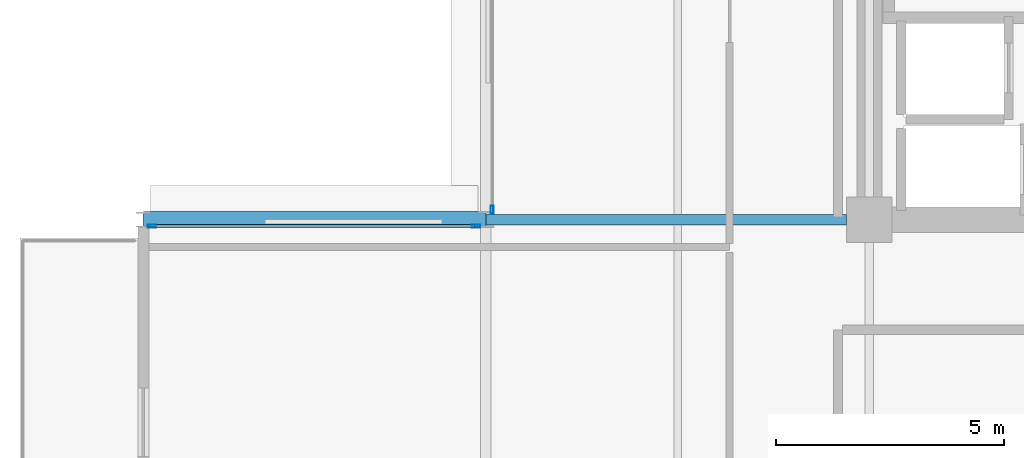
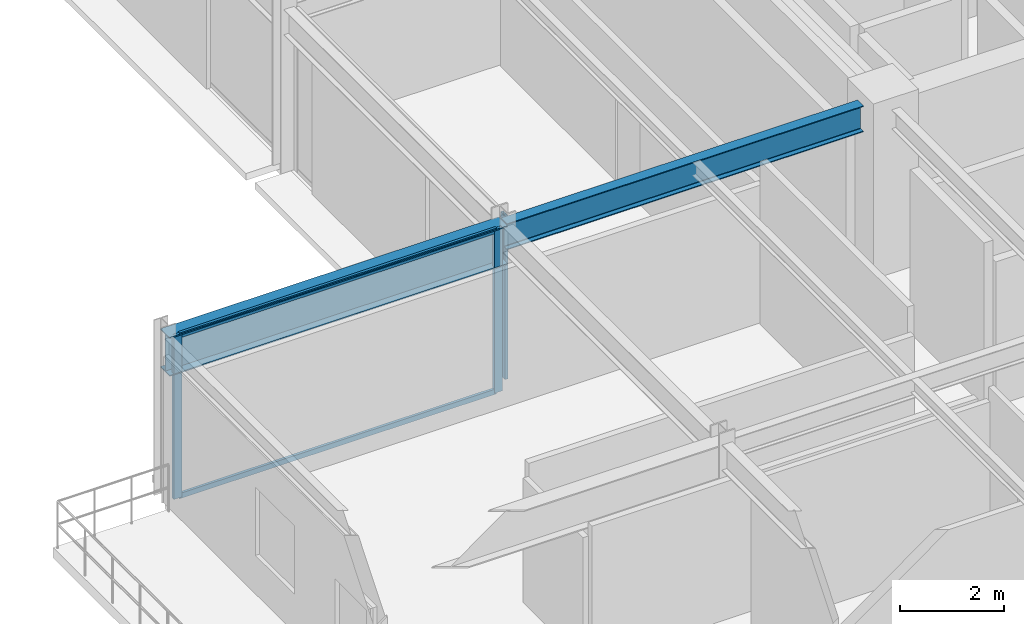
# One storey, part 9 of 29: 5 members, 2 beams, 2 elements without a shape of their own.
"""IFC4 building model written with IfcOpenShell, lengths in metres."""

import ifcopenshell
import ifcopenshell.guid

model = None  # the IFC model being written
_history = None  # IfcOwnerHistory: only IFC2X3 demands one
_inside = {}  # id of a spatial element -> (the spatial element, [elements in it])
_under = {}  # id of a project, library or spatial element -> (it, [spatial elements below it])
_declared = {}  # id of a project -> (the project, [libraries it declares])
_typed = {}  # id of a type object -> (the type object, [elements of that type])
_made_of = {}  # id of a material, layer set ... -> (it, [elements and type objects made of it])


def new_model(schema):
    """Start an empty IFC model of exactly this schema.

    Asked for "IFC4X3", IfcOpenShell would pick the latest addendum, in which some entities
    have other attributes; the version numbers below select the first issue.
    IFC2X3 requires an IfcOwnerHistory on every rooted entity: one is made here for all.
    """
    global model, _history
    if schema == "IFC4X3":
        model = ifcopenshell.file(schema_version=(4, 3, 0, 0))
    else:
        model = ifcopenshell.file(schema=schema)
    _inside.clear()
    _under.clear()
    _declared.clear()
    _typed.clear()
    _made_of.clear()
    _history = None
    if model.schema == "IFC2X3":
        org = make("IfcOrganization", Name="unknown")
        user = make(
            "IfcPersonAndOrganization",
            ThePerson=make("IfcPerson", FamilyName="unknown"),
            TheOrganization=org,
        )
        app = make(
            "IfcApplication",
            ApplicationDeveloper=org,
            Version="unknown",
            ApplicationFullName="unknown",
            ApplicationIdentifier="unknown",
        )
        _history = make(
            "IfcOwnerHistory",
            OwningUser=user,
            OwningApplication=app,
            ChangeAction="ADDED",
            CreationDate=0,
        )
    return model


def make(cls, **values):
    """One entity of the class cls with the attributes given. An attribute that is None is left unset."""
    return model.create_entity(
        cls, **{name: value for name, value in values.items() if value is not None}
    )


def rooted(cls, **values):
    """An entity with a GlobalId (a new one), such as an element, a storey or a relation."""
    return make(cls, GlobalId=ifcopenshell.guid.new(), OwnerHistory=_history, **values)


def si_unit(unit_type, name, prefix=None):
    """IfcSIUnit, for example si_unit("LENGTHUNIT", "METRE", prefix="MILLI")."""
    return make("IfcSIUnit", UnitType=unit_type, Prefix=prefix, Name=name)


def assignment(units):
    """IfcUnitAssignment: the units of a project."""
    return None if units is None else make("IfcUnitAssignment", Units=units)


def point(xyz):
    """IfcCartesianPoint."""
    return None if xyz is None else make("IfcCartesianPoint", Coordinates=xyz)


def direction(xyz):
    """IfcDirection."""
    return None if xyz is None else make("IfcDirection", DirectionRatios=xyz)


def frame(location, z_axis=None, x_axis=None):
    """IfcAxis2Placement3D, a coordinate frame: its origin and axes. An axis left out is left unset."""
    return make(
        "IfcAxis2Placement3D",
        Location=point(location),
        Axis=direction(z_axis),
        RefDirection=direction(x_axis),
    )


def frame_2d(location, x_axis=None):
    """IfcAxis2Placement2D, a coordinate frame in the plane: its origin and x axis."""
    return make(
        "IfcAxis2Placement2D", Location=point(location), RefDirection=direction(x_axis)
    )


def origin():
    """The frame at (0, 0, 0) with its axes left unset."""
    return frame((0.0, 0.0, 0.0))


def origin_2d():
    """The frame at (0, 0) in the plane with its x axis left unset."""
    return frame_2d((0.0, 0.0))


def place(relative_to, where):
    """IfcLocalPlacement: puts the frame where relative to a parent placement (None: the world)."""
    return make(
        "IfcLocalPlacement", PlacementRelTo=relative_to, RelativePlacement=where
    )


def context(
    kind, dimensions, precision=None, world=None, true_north=None, identifier=None
):
    """IfcGeometricRepresentationContext, for example the 3D "Model" context."""
    return make(
        "IfcGeometricRepresentationContext",
        ContextIdentifier=identifier,
        ContextType=kind,
        CoordinateSpaceDimension=dimensions,
        Precision=precision,
        WorldCoordinateSystem=world,
        TrueNorth=true_north,
    )


def subcontext(parent, identifier, kind, view, scale=None):
    """IfcGeometricRepresentationSubContext, for example "Body" below "Model"."""
    return make(
        "IfcGeometricRepresentationSubContext",
        ContextIdentifier=identifier,
        ContextType=kind,
        ParentContext=parent,
        TargetScale=scale,
        TargetView=view,
    )


def project(units=None, contexts=None):
    """IfcProject with its units and contexts."""
    return rooted(
        "IfcProject",
        Name="project",
        RepresentationContexts=contexts,
        UnitsInContext=assignment(units),
    )


def spatial(cls, under=None, at=None, **own):
    """A site, building, storey or space (cls), placed at a placement, below another one or the project."""
    s = rooted(cls, ObjectPlacement=at, **own)
    if under is not None:
        _under.setdefault(under.id(), (under, []))[1].append(s)
    return s


def profile(cls, at=None, kind="AREA", **sizes):
    """A parametric profile (cls). Its sizes go by their IFC names, for example OverallWidth=200.0."""
    return make(cls, ProfileType=kind, Position=at, **sizes)


def hollow_rectangle(**sizes):
    """IfcRectangleHollowProfileDef."""
    return profile("IfcRectangleHollowProfileDef", **sizes)


def i_section(**sizes):
    """IfcIShapeProfileDef."""
    return profile("IfcIShapeProfileDef", **sizes)


def extrude(swept, where, along, depth):
    """IfcExtrudedAreaSolid: the profile swept, set in the frame where, extruded along a direction by depth."""
    return make(
        "IfcExtrudedAreaSolid",
        SweptArea=swept,
        Position=where,
        ExtrudedDirection=direction(along),
        Depth=depth,
    )


def shape(context_of_items, identifier, shape_type, items):
    """IfcShapeRepresentation: the items that make up one representation, for example the "Body"."""
    return make(
        "IfcShapeRepresentation",
        ContextOfItems=context_of_items,
        RepresentationIdentifier=identifier,
        RepresentationType=shape_type,
        Items=items,
    )


def material(Name=None, Category=None):
    """IfcMaterial."""
    return make("IfcMaterial", Name=Name, Category=Category)


def layer(
    of_material, thickness, ventilated=None, Name=None, Category=None, Priority=None
):
    """IfcMaterialLayer: one layer of a wall or slab, of a material (None: an air gap)."""
    return make(
        "IfcMaterialLayer",
        Material=of_material,
        LayerThickness=thickness,
        IsVentilated=ventilated,
        Name=Name,
        Category=Category,
        Priority=Priority,
    )


def layer_set(layers, Name=None):
    """IfcMaterialLayerSet."""
    return make("IfcMaterialLayerSet", MaterialLayers=layers, LayerSetName=Name)


def material_profile(
    of_material, cross_section, Name=None, Category=None, Priority=None
):
    """IfcMaterialProfile: a cross section and its material."""
    return make(
        "IfcMaterialProfile",
        Name=Name,
        Material=of_material,
        Profile=cross_section,
        Priority=Priority,
        Category=Category,
    )


def profile_set(profiles, Name=None, composite=None):
    """IfcMaterialProfileSet."""
    return make(
        "IfcMaterialProfileSet",
        Name=Name,
        MaterialProfiles=profiles,
        CompositeProfile=composite,
    )


def made_of(thing, what):
    """Note that an element or type object is made of a material, layer set ...; save() writes the relation."""
    if what is not None:
        _made_of.setdefault(what.id(), (what, []))[1].append(thing)
    return thing


def type_object(cls, material=None, **own):
    """A type object (cls), such as IfcWallType, which elements share."""
    return made_of(rooted(cls, **own), material)


def element(
    cls,
    number,
    at=None,
    inside=None,
    cuts=None,
    type_object=None,
    material=None,
    context=None,
    identifier="Body",
    shape_type=None,
    held_by="IfcProductDefinitionShape",
    body=None,
    shapes=None,
    **own,
):
    """One element of the class cls, such as IfcWall. Its Tag is "e" and its number.

    at: its placement. inside: the storey or other place that contains it. cuts: it is an
    opening in that element (IfcRelVoidsElement). A single representation is given by context,
    identifier, shape_type and body (its items); several are given by shapes. held_by: the class
    of the entity that holds the representations. save() writes the other relations.
    """
    e = rooted(cls, Tag="e%d" % number, ObjectPlacement=at, **own)
    if body is not None:
        shapes = [shape(context, identifier, shape_type, body)]
    if shapes is not None:
        e.Representation = make(held_by, Representations=shapes)
    if inside is not None:
        _inside.setdefault(inside.id(), (inside, []))[1].append(e)
    if cuts is not None:
        rooted(
            "IfcRelVoidsElement", RelatingBuildingElement=cuts, RelatedOpeningElement=e
        )
    if type_object is not None:
        _typed.setdefault(type_object.id(), (type_object, []))[1].append(e)
    return made_of(e, material)


def aggregate(whole, parts):
    """IfcRelAggregates: a whole, such as a stair, and the parts it consists of."""
    return rooted("IfcRelAggregates", RelatingObject=whole, RelatedObjects=parts)


def save(model, path):
    """Write the relations noted so far, then the file.

    IfcRelAggregates (storeys below a building ...), IfcRelContainedInSpatialStructure (elements
    in a storey), IfcRelDefinesByType, IfcRelAssociatesMaterial and IfcRelDeclares: one each for
    every whole, place, type object, material and project.
    """
    for whole, parts in _under.values():
        aggregate(whole, parts)
    for where, things in _inside.values():
        rooted(
            "IfcRelContainedInSpatialStructure",
            RelatedElements=things,
            RelatingStructure=where,
        )
    for kind, things in _typed.values():
        rooted("IfcRelDefinesByType", RelatedObjects=things, RelatingType=kind)
    for what, things in _made_of.values():
        rooted("IfcRelAssociatesMaterial", RelatedObjects=things, RelatingMaterial=what)
    for by, libraries in _declared.values():
        rooted("IfcRelDeclares", RelatingContext=by, RelatedDefinitions=libraries)
    model.write(path)


model = new_model("IFC4")

# Units and contexts
model_context = context("Model", 3, precision=1e-05, world=origin(), true_north=direction((0.0, 1.0)))
body_context = subcontext(model_context, "Body", "Model", "MODEL_VIEW")
ifc_project = project(units=[si_unit("LENGTHUNIT", "METRE"), si_unit("AREAUNIT", "SQUARE_METRE"), si_unit("VOLUMEUNIT", "CUBIC_METRE"), si_unit("PLANEANGLEUNIT", "RADIAN"), si_unit("MASSUNIT", "GRAM", prefix="KILO")], contexts=[model_context])

# Site, building, storey
site_placement = place(None, origin())
site = spatial("IfcSite", under=ifc_project, at=site_placement, CompositionType="ELEMENT")
building_placement = place(site_placement, origin())
building = spatial("IfcBuilding", under=site, at=building_placement, Name="Nerrivon Quay Data Exchange", CompositionType="ELEMENT")
storey_placement = place(building_placement, frame((0.0, 0.0, 191.89990234375)))
storey = spatial("IfcBuildingStorey", under=building, at=storey_placement, Name="L45", CompositionType="ELEMENT", Elevation=191.89990234375)

# Beams
ifc_material_1 = material(Name="Steel Grade 350", Category="steel")
ifc_material_profile_1 = material_profile(ifc_material_1, i_section(OverallWidth=0.35009765625, OverallDepth=0.909912109375, WebThickness=0.011962890625, FlangeThickness=0.02490234375, at=origin_2d()), Name="900WB218")
ifc_profile_set_1 = profile_set([ifc_material_profile_1], Name="Steel Grade 350")
beam_type_1 = type_object("IfcBeamType", Name="BM-CANT-900WB", PredefinedType="USERDEFINED", material=ifc_profile_set_1)
beam_1_placement = place(storey_placement, frame((-0.010009765625, 25.199951171875, 3.3701171875), z_axis=(-1.0, 0.0, 0.0), x_axis=(0.0, -1.0, 0.0)))
element("IfcBeam", 1, at=beam_1_placement, inside=storey, type_object=beam_type_1, Name="L45 West Hooked Cantilever Girder Y=25.2", ObjectType="TRANSFER", PredefinedType="USERDEFINED", context=body_context, shape_type="SweptSolid", body=[
    extrude(i_section(OverallWidth=0.35009765625, OverallDepth=0.909912109375, WebThickness=0.011962890625, FlangeThickness=0.02490234375, at=origin_2d()), origin(), (0.0, 0.0, 1.0), 7.482177734375),
])
ifc_material_profile_2 = material_profile(ifc_material_1, i_section(OverallWidth=0.22900390625, OverallDepth=0.612060546875, WebThickness=0.011962890625, FlangeThickness=0.01953125, FilletRadius=0.013916015625, at=origin_2d()), Name="610UB125")
ifc_profile_set_2 = profile_set([ifc_material_profile_2], Name="Steel Grade 350")
beam_type_2 = type_object("IfcBeamType", Name="BM-G1-610UB125", PredefinedType="BEAM", material=ifc_profile_set_2)
beam_2_placement = place(storey_placement, frame((0.010009765625, 25.199951171875, 3.51904296875), z_axis=(1.0, 0.0, 0.0), x_axis=(0.0, 1.0, 0.0)))
element("IfcBeam", 2, at=beam_2_placement, inside=storey, type_object=beam_type_2, Name="L45 EW Girder Y=25.2 (0.0..8.4)", PredefinedType="BEAM", context=body_context, shape_type="SweptSolid", body=[
    extrude(i_section(OverallWidth=0.22900390625, OverallDepth=0.612060546875, WebThickness=0.011962890625, FlangeThickness=0.01953125, FilletRadius=0.013916015625, at=origin_2d()), origin(), (0.0, 0.0, 1.0), 7.889892578125),
])

# Curtain wall, members
ifc_material_2 = material(Name="Anodised aluminium 6063-T6", Category="aluminium")
ifc_layer_1 = layer(ifc_material_2, 0.199951171875)
ifc_layer_set_1 = layer_set([ifc_layer_1], Name="Anodised aluminium 6063-T6")
curtain_wall_type_1 = type_object("IfcCurtainWallType", Name="CW-SYS-04", PredefinedType="NOTDEFINED", material=ifc_layer_set_1)
curtain_wall_1_placement = place(storey_placement, origin())
curtain_wall_1 = element("IfcCurtainWall", 3, at=curtain_wall_1_placement, inside=storey, type_object=curtain_wall_type_1, Name="L45 Unitised Curtain Wall 3", PredefinedType="NOTDEFINED")
ifc_material_profile_3 = material_profile(ifc_material_2, hollow_rectangle(XDim=0.06494140625, YDim=0.179931640625, WallThickness=0.00341796875, at=origin_2d()), Name="ALU-MULL-180x65")
ifc_profile_set_3 = profile_set([ifc_material_profile_3], Name="Anodised aluminium 6063-T6")
member_type_1 = type_object("IfcMemberType", Name="CWM-180x65", PredefinedType="MULLION", material=ifc_profile_set_3)
member_1_placement = place(storey_placement, frame((-7.306884765625, 25.06005859375, 0.0), z_axis=(0.0, 0.0, 1.0), x_axis=(0.0, 1.0, 0.0)))
member_1 = element("IfcMember", 4, at=member_1_placement, type_object=member_type_1, Name="CW04 mullion 1", PredefinedType="MULLION", context=body_context, shape_type="SweptSolid", body=[
    extrude(hollow_rectangle(XDim=0.06494140625, YDim=0.179931640625, WallThickness=0.00341796875, at=origin_2d()), origin(), (0.0, 0.0, 1.0), 3.8251953125),
])
member_2_placement = place(storey_placement, frame((-0.21240234375, 25.06005859375, 0.0), z_axis=(0.0, 0.0, 1.0), x_axis=(0.0, 1.0, 0.0)))
member_2 = element("IfcMember", 5, at=member_2_placement, type_object=member_type_1, Name="CW04 mullion 2", PredefinedType="MULLION", context=body_context, shape_type="SweptSolid", body=[
    extrude(hollow_rectangle(XDim=0.06494140625, YDim=0.179931640625, WallThickness=0.00341796875, at=origin_2d()), origin(), (0.0, 0.0, 1.0), 3.8251953125),
])

# Curtain wall, member
ifc_layer_2 = layer(ifc_material_2, 0.195068359375)
ifc_layer_set_2 = layer_set([ifc_layer_2], Name="Anodised aluminium 6063-T6")
curtain_wall_type_2 = type_object("IfcCurtainWallType", Name="CW-SYS-06", PredefinedType="NOTDEFINED", material=ifc_layer_set_2)
curtain_wall_2_placement = place(storey_placement, origin())
curtain_wall_2 = element("IfcCurtainWall", 6, at=curtain_wall_2_placement, inside=storey, type_object=curtain_wall_type_2, Name="L45 Unitised Curtain Wall 4", PredefinedType="NOTDEFINED")
member_3_placement = place(storey_placement, frame((0.139892578125, 25.41259765625, 0.0), z_axis=(0.0, 0.0, 1.0), x_axis=(-1.0, 0.0, 0.0)))
member_3 = element("IfcMember", 7, at=member_3_placement, type_object=member_type_1, Name="CW06 mullion 1", PredefinedType="MULLION", context=body_context, shape_type="SweptSolid", body=[
    extrude(hollow_rectangle(XDim=0.06494140625, YDim=0.179931640625, WallThickness=0.00341796875, at=origin_2d()), origin(), (0.0, 0.0, 1.0), 3.8251953125),
])
aggregate(curtain_wall_2, [member_3])

# Member
ifc_material_profile_4 = material_profile(ifc_material_2, hollow_rectangle(XDim=0.06005859375, YDim=0.1201171875, WallThickness=0.003173828125, at=origin_2d()), Name="ALU-TRAN-120x60")
ifc_profile_set_4 = profile_set([ifc_material_profile_4], Name="Anodised aluminium 6063-T6")
member_type_2 = type_object("IfcMemberType", Name="CWT-120x60", PredefinedType="USERDEFINED", material=ifc_profile_set_4)
member_4_placement = place(storey_placement, frame((-7.26953125, 25.06005859375, 0.03271484375), z_axis=(1.0, 0.0, 0.0), x_axis=(0.0, 1.0, 0.0)))
member_4 = element("IfcMember", 8, at=member_4_placement, type_object=member_type_2, Name="CW04 transom 1.1", ObjectType="TRANSOM", PredefinedType="USERDEFINED", context=body_context, shape_type="SweptSolid", body=[
    extrude(hollow_rectangle(XDim=0.06005859375, YDim=0.1201171875, WallThickness=0.003173828125, at=origin_2d()), origin(), (0.0, 0.0, 1.0), 7.01953125),
])

member_5_placement = place(storey_placement, frame((-7.26953125, 25.06005859375, 3.79248046875), z_axis=(1.0, 0.0, 0.0), x_axis=(0.0, 1.0, 0.0)))
member_5 = element("IfcMember", 9, at=member_5_placement, type_object=member_type_2, Name="CW04 transom 1.2", ObjectType="TRANSOM", PredefinedType="USERDEFINED", context=body_context, shape_type="SweptSolid", body=[
    extrude(hollow_rectangle(XDim=0.06005859375, YDim=0.1201171875, WallThickness=0.003173828125, at=origin_2d()), origin(), (0.0, 0.0, 1.0), 7.01953125),
])

aggregate(curtain_wall_1, [member_1, member_2, member_4, member_5])

save(model, "model.ifc")
